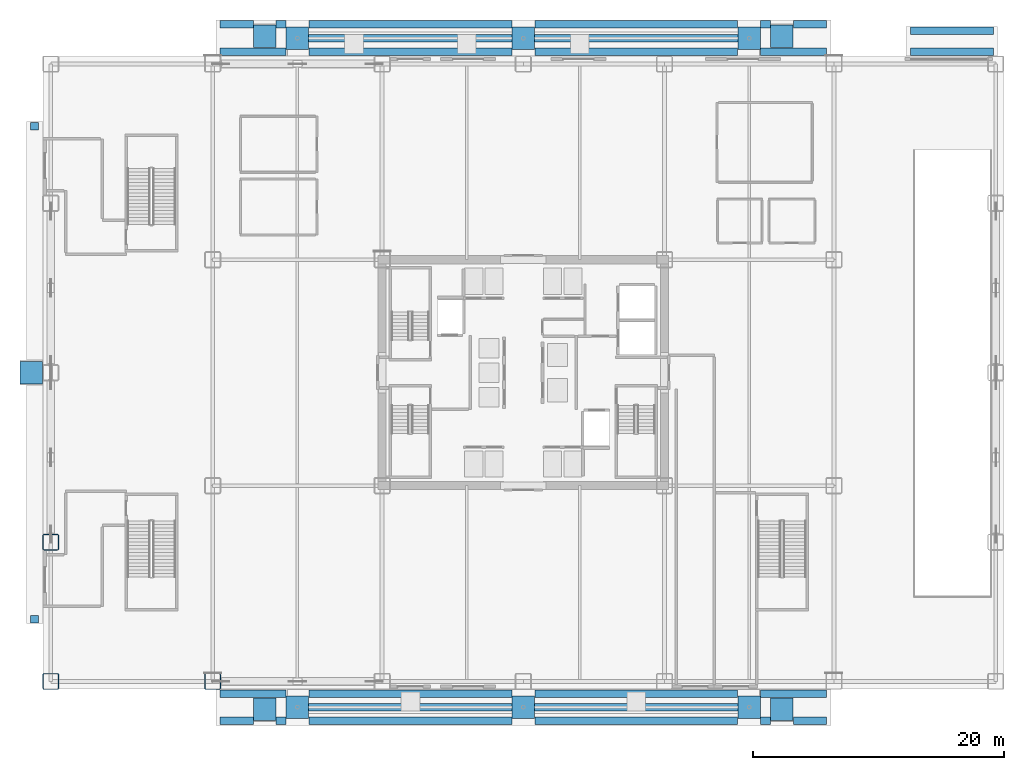
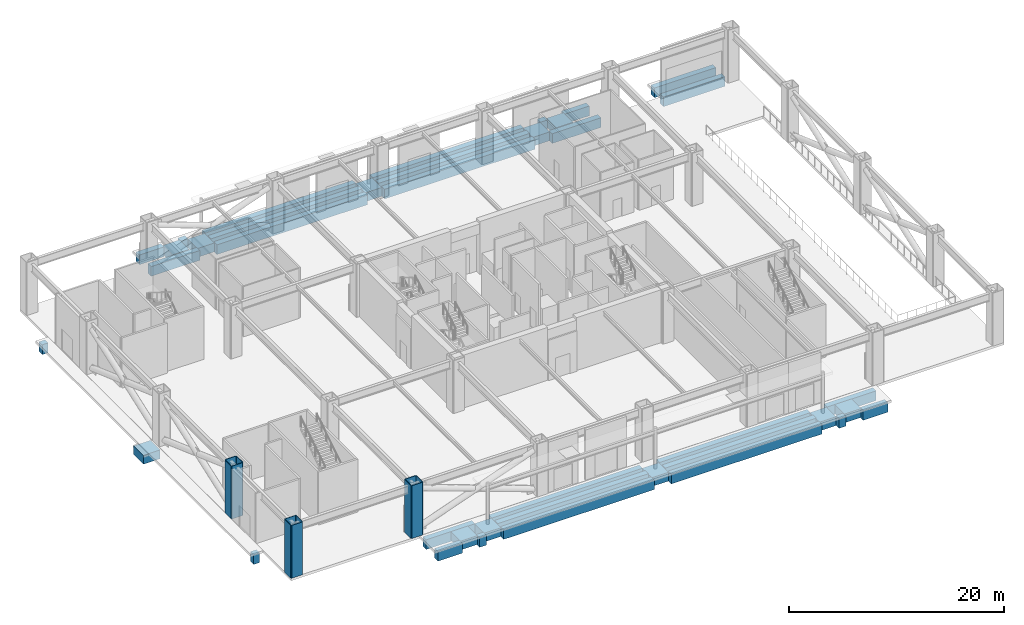
# One storey, part 1 of 17: 39 footings, 3 columns.
"""IFC4 building model written with IfcOpenShell, lengths in metres."""

from ifc_helpers import new_model, si_unit, direction, frame, origin, origin_2d, place, context, subcontext, project, spatial, rectangle, hollow_rectangle, extrude, source, transform, mapped, material, layer, layer_set, material_profile, profile_set, type_object, element, save


model = new_model("IFC4")

# Units and contexts
model_context = context("Model", 3, precision=1e-05, world=origin(), true_north=direction((0.0, 1.0)))
body_context = subcontext(model_context, "Body", "Model", "MODEL_VIEW")
ifc_project = project(units=[si_unit("LENGTHUNIT", "METRE"), si_unit("AREAUNIT", "SQUARE_METRE"), si_unit("VOLUMEUNIT", "CUBIC_METRE"), si_unit("PLANEANGLEUNIT", "RADIAN"), si_unit("MASSUNIT", "GRAM", prefix="KILO")], contexts=[model_context])

# Site, building, storey
site_placement = place(None, origin())
site = spatial("IfcSite", under=ifc_project, at=site_placement, CompositionType="ELEMENT")
building_placement = place(site_placement, origin())
building = spatial("IfcBuilding", under=site, at=building_placement, Name="Nefas-Gora Pilgrimage Tower", CompositionType="ELEMENT")
storey_placement = place(building_placement, origin())
storey = spatial("IfcBuildingStorey", under=building, at=storey_placement, Name="L00", CompositionType="ELEMENT", Elevation=0.0)

# Footings
ifc_material_1 = material(Name="Concrete C45/55", Category="concrete")
ifc_layer = layer(ifc_material_1, 1.0)
ifc_layer_set = layer_set([ifc_layer], Name="Concrete C45/55")
footing_type_1 = type_object("IfcFootingType", Name="FTG-PAD-1800", PredefinedType="PAD_FOOTING", material=ifc_layer_set)
shared_shape_1 = source(origin(), body_context, "Body", "SweptSolid", [
    extrude(rectangle(XDim=1.800048828125, YDim=1.800048828125, at=origin_2d()), origin(), (0.0, 0.0, 1.0), 1.0),
])
for number, where, z_axis, x_axis, name in (
    (1, (-18.0, 26.64990234375, -1.25), (0.0, 0.0, 1.0), (1.0, 0.0, 0.0), "Arrival Canopy Pad Footing PF-01.1"),
    (2, (0.0, 26.64990234375, -1.25), (0.0, 0.0, 1.0), (1.0, 0.0, 0.0), "Arrival Canopy Pad Footing PF-01.2"),
    (3, (18.0, 26.64990234375, -1.25), (0.0, 0.0, 1.0), (1.0, 0.0, 0.0), "Arrival Canopy Pad Footing PF-01.3"),
    (4, (-18.0, -26.64990234375, -1.25), (0.0, 0.0, 1.0), (1.0, 0.0, 0.0), "Arrival Canopy Pad Footing PF-01.4"),
    (5, (0.0, -26.64990234375, -1.25), (0.0, 0.0, 1.0), (1.0, 0.0, 0.0), "Arrival Canopy Pad Footing PF-01.5"),
    (6, (18.0, -26.64990234375, -1.25), (0.0, 0.0, 1.0), (1.0, 0.0, 0.0), "Arrival Canopy Pad Footing PF-01.6"),
    (7, (-20.60009765625, 26.800048828125, -1.14990234375), (0.0, 0.0, 1.0), (1.0, 0.0, 0.0), "North-West Step-Free Plaza Ramp Grade Pad Footing"),
    (8, (20.60009765625, 26.800048828125, -1.14990234375), (0.0, 0.0, 1.0), (1.0, 0.0, 0.0), "North-East Step-Free Plaza Ramp Grade Pad Footing"),
    (9, (-20.60009765625, -26.800048828125, -1.14990234375), (0.0, 0.0, 1.0), (1.0, 0.0, 0.0), "South-West Step-Free Plaza Ramp Grade Pad Footing"),
    (10, (20.60009765625, -26.800048828125, -1.14990234375), (0.0, 0.0, 1.0), (1.0, 0.0, 0.0), "South-East Step-Free Plaza Ramp Grade Pad Footing"),
    (11, (-39.199951171875, 0.0, -1.14990234375), (0.0, 0.0, 1.0), (1.0, 0.0, 0.0), "West Exit Walkway Step-Free Grade Ramp Grade Pad Footing"),
):
    element("IfcFooting", number, at=place(storey_placement, frame(where, z_axis=z_axis, x_axis=x_axis)), inside=storey, type_object=footing_type_1, Name=name, PredefinedType="PAD_FOOTING", context=body_context, shape_type="MappedRepresentation", body=[
        mapped(shared_shape_1, transform((0.0, 0.0, 0.0), x_axis=(1.0, 0.0, 0.0), y_axis=(0.0, 1.0, 0.0), z_axis=(0.0, 0.0, 1.0), scale=1.0)),
    ])
ifc_material_profile_1 = material_profile(ifc_material_1, rectangle(XDim=0.60009765625, YDim=1.10009765625, at=origin_2d()), Name="RC 600x1100")
ifc_profile_set_1 = profile_set([ifc_material_profile_1], Name="Concrete C45/55")
footing_type_2 = type_object("IfcFootingType", Name="FTG-BEAM-600x900", PredefinedType="FOOTING_BEAM", material=ifc_profile_set_1)
shared_shape_2 = source(origin(), body_context, "Body", "SweptSolid", [
    extrude(rectangle(XDim=0.60009765625, YDim=1.10009765625, at=origin_2d()), origin(), (0.0, 0.0, 1.0), 16.2001953125),
])
for number, where, z_axis, x_axis, name in (
    (12, (-17.10009765625, 26.64990234375, -0.699951171875), (1.0, 0.0, 0.0), (0.0, 1.0, 0.0), "Canopy Tie Footing Beam FB-01.1"),
    (13, (0.89990234375, 26.64990234375, -0.699951171875), (1.0, 0.0, 0.0), (0.0, 1.0, 0.0), "Canopy Tie Footing Beam FB-01.2"),
    (14, (-17.10009765625, -26.64990234375, -0.699951171875), (1.0, 0.0, 0.0), (0.0, 1.0, 0.0), "Canopy Tie Footing Beam FB-01.3"),
    (15, (0.89990234375, -26.64990234375, -0.699951171875), (1.0, 0.0, 0.0), (0.0, 1.0, 0.0), "Canopy Tie Footing Beam FB-01.4"),
):
    element("IfcFooting", number, at=place(storey_placement, frame(where, z_axis=z_axis, x_axis=x_axis)), inside=storey, type_object=footing_type_2, Name=name, PredefinedType="FOOTING_BEAM", context=body_context, shape_type="MappedRepresentation", body=[
        mapped(shared_shape_2, transform((0.0, 0.0, 0.0), x_axis=(1.0, 0.0, 0.0), y_axis=(0.0, 1.0, 0.0), z_axis=(0.0, 0.0, 1.0), scale=1.0)),
    ])
shared_shape_3 = source(origin(), body_context, "Body", "SweptSolid", [
    extrude(rectangle(XDim=0.60009765625, YDim=1.10009765625, at=origin_2d()), origin(), (0.0, 0.0, 1.0), 5.23486328125),
])
for number, where, z_axis, x_axis, name in (
    (16, (-24.14990234375, 25.570068359375, -0.72998046875), (1.0, 0.0, 0.0), (0.0, 1.0, 0.0), "North Grand Arrival Plaza Paving Slab Edge Grade Footing A.1"),
    (17, (18.9150390625, 25.570068359375, -0.72998046875), (1.0, 0.0, 0.0), (0.0, 1.0, 0.0), "North Grand Arrival Plaza Paving Slab Edge Grade Footing A.4"),
    (18, (-24.14990234375, -25.570068359375, -0.72998046875), (1.0, 0.0, 0.0), (0.0, 1.0, 0.0), "South Concourse Plaza Paving Slab Edge Grade Footing B.1"),
    (19, (18.9150390625, -25.570068359375, -0.72998046875), (1.0, 0.0, 0.0), (0.0, 1.0, 0.0), "South Concourse Plaza Paving Slab Edge Grade Footing B.4"),
):
    element("IfcFooting", number, at=place(storey_placement, frame(where, z_axis=z_axis, x_axis=x_axis)), inside=storey, type_object=footing_type_2, Name=name, PredefinedType="FOOTING_BEAM", context=body_context, shape_type="MappedRepresentation", body=[
        mapped(shared_shape_3, transform((0.0, 0.0, 0.0), x_axis=(1.0, 0.0, 0.0), y_axis=(0.0, 1.0, 0.0), z_axis=(0.0, 0.0, 1.0), scale=1.0)),
    ])
shared_shape_4 = source(origin(), body_context, "Body", "SweptSolid", [
    extrude(rectangle(XDim=0.60009765625, YDim=1.10009765625, at=origin_2d()), origin(), (0.0, 0.0, 1.0), 16.169921875),
])
for number, where, z_axis, x_axis, name in (
    (20, (-17.0849609375, 25.570068359375, -0.72998046875), (1.0, 0.0, 0.0), (0.0, 1.0, 0.0), "North Grand Arrival Plaza Paving Slab Edge Grade Footing A.2"),
    (21, (0.9150390625, 25.570068359375, -0.72998046875), (1.0, 0.0, 0.0), (0.0, 1.0, 0.0), "North Grand Arrival Plaza Paving Slab Edge Grade Footing A.3"),
    (22, (-17.0849609375, 27.75, -0.72998046875), (1.0, 0.0, 0.0), (0.0, 1.0, 0.0), "North Grand Arrival Plaza Paving Slab Edge Grade Footing B.3"),
    (23, (0.9150390625, 27.75, -0.72998046875), (1.0, 0.0, 0.0), (0.0, 1.0, 0.0), "North Grand Arrival Plaza Paving Slab Edge Grade Footing B.4"),
    (24, (-17.0849609375, -27.75, -0.72998046875), (1.0, 0.0, 0.0), (0.0, 1.0, 0.0), "South Concourse Plaza Paving Slab Edge Grade Footing A.3"),
    (25, (0.9150390625, -27.75, -0.72998046875), (1.0, 0.0, 0.0), (0.0, 1.0, 0.0), "South Concourse Plaza Paving Slab Edge Grade Footing A.4"),
    (26, (-17.0849609375, -25.570068359375, -0.72998046875), (1.0, 0.0, 0.0), (0.0, 1.0, 0.0), "South Concourse Plaza Paving Slab Edge Grade Footing B.2"),
    (27, (0.9150390625, -25.570068359375, -0.72998046875), (1.0, 0.0, 0.0), (0.0, 1.0, 0.0), "South Concourse Plaza Paving Slab Edge Grade Footing B.3"),
):
    element("IfcFooting", number, at=place(storey_placement, frame(where, z_axis=z_axis, x_axis=x_axis)), inside=storey, type_object=footing_type_2, Name=name, PredefinedType="FOOTING_BEAM", context=body_context, shape_type="MappedRepresentation", body=[
        mapped(shared_shape_4, transform((0.0, 0.0, 0.0), x_axis=(1.0, 0.0, 0.0), y_axis=(0.0, 1.0, 0.0), z_axis=(0.0, 0.0, 1.0), scale=1.0)),
    ])
shared_shape_5 = source(origin(), body_context, "Body", "SweptSolid", [
    extrude(rectangle(XDim=0.60009765625, YDim=1.10009765625, at=origin_2d()), origin(), (0.0, 0.0, 1.0), 2.635009765625),
])
for number, where, z_axis, x_axis, name in (
    (28, (-24.14990234375, 27.75, -0.72998046875), (1.0, 0.0, 0.0), (0.0, 1.0, 0.0), "North Grand Arrival Plaza Paving Slab Edge Grade Footing B.1"),
    (29, (21.514892578125, 27.75, -0.72998046875), (1.0, 0.0, 0.0), (0.0, 1.0, 0.0), "North Grand Arrival Plaza Paving Slab Edge Grade Footing B.6"),
    (30, (-24.14990234375, -27.75, -0.72998046875), (1.0, 0.0, 0.0), (0.0, 1.0, 0.0), "South Concourse Plaza Paving Slab Edge Grade Footing A.1"),
    (31, (21.514892578125, -27.75, -0.72998046875), (1.0, 0.0, 0.0), (0.0, 1.0, 0.0), "South Concourse Plaza Paving Slab Edge Grade Footing A.6"),
):
    element("IfcFooting", number, at=place(storey_placement, frame(where, z_axis=z_axis, x_axis=x_axis)), inside=storey, type_object=footing_type_2, Name=name, PredefinedType="FOOTING_BEAM", context=body_context, shape_type="MappedRepresentation", body=[
        mapped(shared_shape_5, transform((0.0, 0.0, 0.0), x_axis=(1.0, 0.0, 0.0), y_axis=(0.0, 1.0, 0.0), z_axis=(0.0, 0.0, 1.0), scale=1.0)),
    ])
shared_shape_6 = source(origin(), body_context, "Body", "SweptSolid", [
    extrude(rectangle(XDim=0.60009765625, YDim=1.10009765625, at=origin_2d()), origin(), (0.0, 0.0, 1.0), 0.77001953125),
])
for number, where, z_axis, x_axis, name in (
    (32, (-19.68505859375, 27.75, -0.72998046875), (1.0, 0.0, 0.0), (0.0, 1.0, 0.0), "North Grand Arrival Plaza Paving Slab Edge Grade Footing B.2"),
    (33, (18.9150390625, 27.75, -0.72998046875), (1.0, 0.0, 0.0), (0.0, 1.0, 0.0), "North Grand Arrival Plaza Paving Slab Edge Grade Footing B.5"),
    (34, (-19.68505859375, -27.75, -0.72998046875), (1.0, 0.0, 0.0), (0.0, 1.0, 0.0), "South Concourse Plaza Paving Slab Edge Grade Footing A.2"),
    (35, (18.9150390625, -27.75, -0.72998046875), (1.0, 0.0, 0.0), (0.0, 1.0, 0.0), "South Concourse Plaza Paving Slab Edge Grade Footing A.5"),
):
    element("IfcFooting", number, at=place(storey_placement, frame(where, z_axis=z_axis, x_axis=x_axis)), inside=storey, type_object=footing_type_2, Name=name, PredefinedType="FOOTING_BEAM", context=body_context, shape_type="MappedRepresentation", body=[
        mapped(shared_shape_6, transform((0.0, 0.0, 0.0), x_axis=(1.0, 0.0, 0.0), y_axis=(0.0, 1.0, 0.0), z_axis=(0.0, 0.0, 1.0), scale=1.0)),
    ])
shared_shape_7 = source(origin(), body_context, "Body", "SweptSolid", [
    extrude(rectangle(XDim=0.60009765625, YDim=1.10009765625, at=origin_2d()), origin(), (0.0, 0.0, 1.0), 6.599853515625),
])
for number, where, z_axis, x_axis, name in (
    (36, (30.85009765625, 25.570068359375, -0.72998046875), (1.0, 0.0, 0.0), (0.0, 1.0, 0.0), "North-East Car Park Ramp Driveway Apron Slab Edge Grade Footing A"),
    (37, (30.85009765625, 27.25, -0.72998046875), (1.0, 0.0, 0.0), (0.0, 1.0, 0.0), "North-East Car Park Ramp Driveway Apron Slab Edge Grade Footing B"),
):
    element("IfcFooting", number, at=place(storey_placement, frame(where, z_axis=z_axis, x_axis=x_axis)), inside=storey, type_object=footing_type_2, Name=name, PredefinedType="FOOTING_BEAM", context=body_context, shape_type="MappedRepresentation", body=[
        mapped(shared_shape_7, transform((0.0, 0.0, 0.0), x_axis=(1.0, 0.0, 0.0), y_axis=(0.0, 1.0, 0.0), z_axis=(0.0, 0.0, 1.0), scale=1.0)),
    ])
shared_shape_8 = source(origin(), body_context, "Body", "SweptSolid", [
    extrude(rectangle(XDim=0.60009765625, YDim=1.10009765625, at=origin_2d()), origin(), (0.0, 0.0, 1.0), 0.6298828125),
])
for number, where, z_axis, x_axis, name in (
    (38, (-39.25, -19.64990234375, -0.72998046875), (1.0, 0.0, 0.0), (0.0, 1.0, 0.0), "West Exit Discharge Walkway Paving Slab Edge Grade Footing A"),
    (39, (-39.25, 19.64990234375, -0.72998046875), (1.0, 0.0, 0.0), (0.0, 1.0, 0.0), "West Exit Discharge Walkway Paving Slab Edge Grade Footing B"),
):
    element("IfcFooting", number, at=place(storey_placement, frame(where, z_axis=z_axis, x_axis=x_axis)), inside=storey, type_object=footing_type_2, Name=name, PredefinedType="FOOTING_BEAM", context=body_context, shape_type="MappedRepresentation", body=[
        mapped(shared_shape_8, transform((0.0, 0.0, 0.0), x_axis=(1.0, 0.0, 0.0), y_axis=(0.0, 1.0, 0.0), z_axis=(0.0, 0.0, 1.0), scale=1.0)),
    ])

# Columns
ifc_material_2 = material(Name="Steel S460", Category="steel")
ifc_material_profile_2 = material_profile(ifc_material_2, hollow_rectangle(XDim=1.300048828125, YDim=1.300048828125, WallThickness=0.06494140625, InnerFilletRadius=0.06494140625, OuterFilletRadius=0.1298828125, at=origin_2d()), Name="BOX 1300x1300x65")
ifc_profile_set_2 = profile_set([ifc_material_profile_2], Name="Steel S460")
column_type = type_object("IfcColumnType", Name="COL-MEGA-1300E", PredefinedType="COLUMN", material=ifc_profile_set_2)
shared_shape_9 = source(origin(), body_context, "Body", "SweptSolid", [
    extrude(hollow_rectangle(XDim=1.300048828125, YDim=1.300048828125, WallThickness=0.06494140625, InnerFilletRadius=0.06494140625, OuterFilletRadius=0.1298828125, at=origin_2d()), origin(), (0.0, 0.0, 1.0), 6.0),
])
for number, where, z_axis, x_axis, name in (
    (40, (-37.64990234375, -24.60009765625, 0.0), (0.0, 0.0, 1.0), (1.0, 0.0, 0.0), "L00 Mega-Column MC-01E.1"),
    (41, (-37.64990234375, -13.5, 0.0), (0.0, 0.0, 1.0), (1.0, 0.0, 0.0), "L00 Mega-Column MC-01E.2"),
    (42, (-24.75, -24.60009765625, 0.0), (0.0, 0.0, 1.0), (1.0, 0.0, 0.0), "L00 Mega-Column MC-01E.6"),
):
    element("IfcColumn", number, at=place(storey_placement, frame(where, z_axis=z_axis, x_axis=x_axis)), inside=storey, type_object=column_type, Name=name, PredefinedType="COLUMN", context=body_context, shape_type="MappedRepresentation", body=[
        mapped(shared_shape_9, transform((0.0, 0.0, 0.0), x_axis=(1.0, 0.0, 0.0), y_axis=(0.0, 1.0, 0.0), z_axis=(0.0, 0.0, 1.0), scale=1.0)),
    ])

save(model, "model.ifc")
